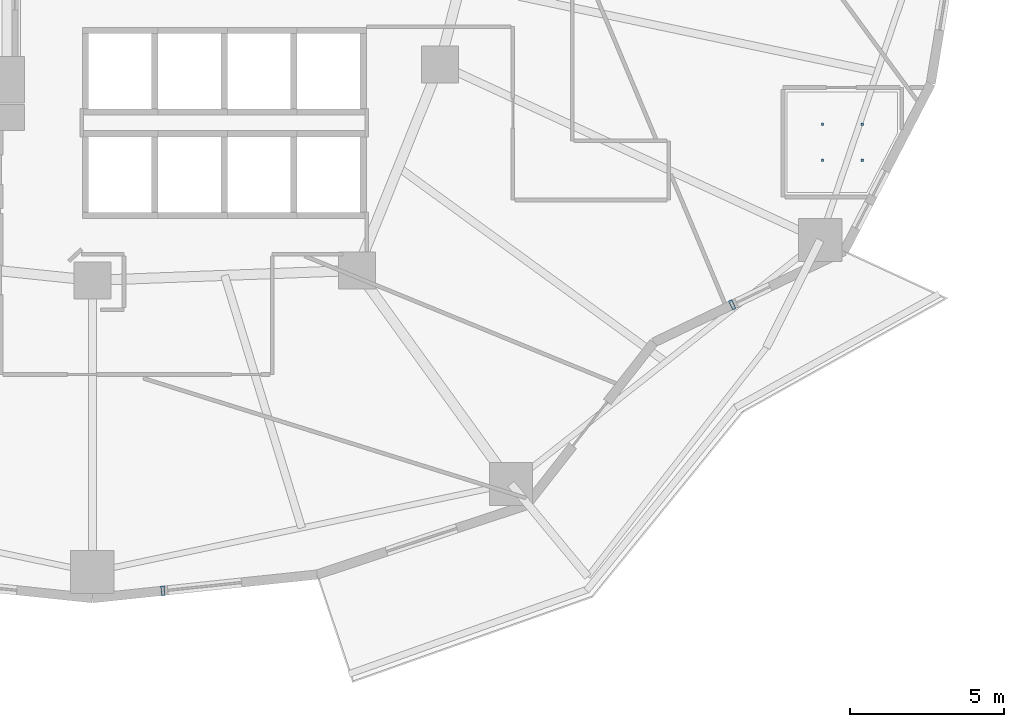
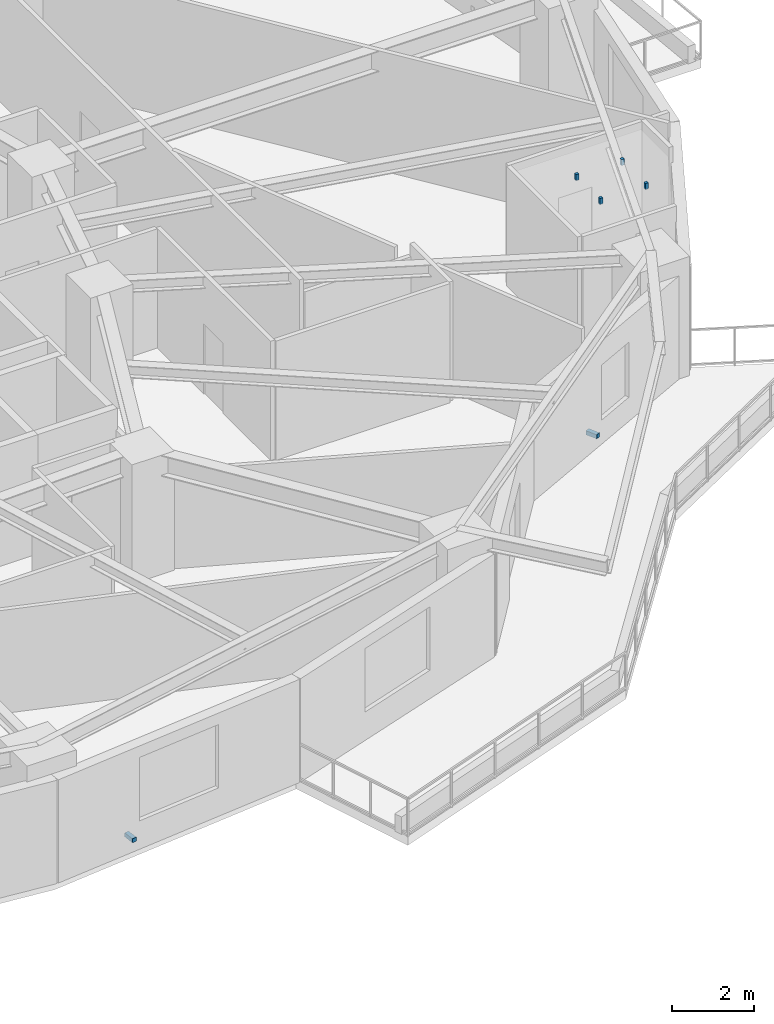
# One storey, part 11 of 18: 6 discrete accessories.
"""IFC4 building model written with IfcOpenShell, lengths in metres."""

import ifcopenshell
import ifcopenshell.guid

model = None  # the IFC model being written
_history = None  # IfcOwnerHistory: only IFC2X3 demands one
_inside = {}  # id of a spatial element -> (the spatial element, [elements in it])
_under = {}  # id of a project, library or spatial element -> (it, [spatial elements below it])
_declared = {}  # id of a project -> (the project, [libraries it declares])
_typed = {}  # id of a type object -> (the type object, [elements of that type])
_made_of = {}  # id of a material, layer set ... -> (it, [elements and type objects made of it])


def new_model(schema):
    """Start an empty IFC model of exactly this schema.

    Asked for "IFC4X3", IfcOpenShell would pick the latest addendum, in which some entities
    have other attributes; the version numbers below select the first issue.
    IFC2X3 requires an IfcOwnerHistory on every rooted entity: one is made here for all.
    """
    global model, _history
    if schema == "IFC4X3":
        model = ifcopenshell.file(schema_version=(4, 3, 0, 0))
    else:
        model = ifcopenshell.file(schema=schema)
    _inside.clear()
    _under.clear()
    _declared.clear()
    _typed.clear()
    _made_of.clear()
    _history = None
    if model.schema == "IFC2X3":
        org = make("IfcOrganization", Name="unknown")
        user = make(
            "IfcPersonAndOrganization",
            ThePerson=make("IfcPerson", FamilyName="unknown"),
            TheOrganization=org,
        )
        app = make(
            "IfcApplication",
            ApplicationDeveloper=org,
            Version="unknown",
            ApplicationFullName="unknown",
            ApplicationIdentifier="unknown",
        )
        _history = make(
            "IfcOwnerHistory",
            OwningUser=user,
            OwningApplication=app,
            ChangeAction="ADDED",
            CreationDate=0,
        )
    return model


def make(cls, **values):
    """One entity of the class cls with the attributes given. An attribute that is None is left unset."""
    return model.create_entity(
        cls, **{name: value for name, value in values.items() if value is not None}
    )


def rooted(cls, **values):
    """An entity with a GlobalId (a new one), such as an element, a storey or a relation."""
    return make(cls, GlobalId=ifcopenshell.guid.new(), OwnerHistory=_history, **values)


def si_unit(unit_type, name, prefix=None):
    """IfcSIUnit, for example si_unit("LENGTHUNIT", "METRE", prefix="MILLI")."""
    return make("IfcSIUnit", UnitType=unit_type, Prefix=prefix, Name=name)


def assignment(units):
    """IfcUnitAssignment: the units of a project."""
    return None if units is None else make("IfcUnitAssignment", Units=units)


def point(xyz):
    """IfcCartesianPoint."""
    return None if xyz is None else make("IfcCartesianPoint", Coordinates=xyz)


def direction(xyz):
    """IfcDirection."""
    return None if xyz is None else make("IfcDirection", DirectionRatios=xyz)


def frame(location, z_axis=None, x_axis=None):
    """IfcAxis2Placement3D, a coordinate frame: its origin and axes. An axis left out is left unset."""
    return make(
        "IfcAxis2Placement3D",
        Location=point(location),
        Axis=direction(z_axis),
        RefDirection=direction(x_axis),
    )


def frame_2d(location, x_axis=None):
    """IfcAxis2Placement2D, a coordinate frame in the plane: its origin and x axis."""
    return make(
        "IfcAxis2Placement2D", Location=point(location), RefDirection=direction(x_axis)
    )


def origin():
    """The frame at (0, 0, 0) with its axes left unset."""
    return frame((0.0, 0.0, 0.0))


def origin_2d():
    """The frame at (0, 0) in the plane with its x axis left unset."""
    return frame_2d((0.0, 0.0))


def place(relative_to, where):
    """IfcLocalPlacement: puts the frame where relative to a parent placement (None: the world)."""
    return make(
        "IfcLocalPlacement", PlacementRelTo=relative_to, RelativePlacement=where
    )


def context(
    kind, dimensions, precision=None, world=None, true_north=None, identifier=None
):
    """IfcGeometricRepresentationContext, for example the 3D "Model" context."""
    return make(
        "IfcGeometricRepresentationContext",
        ContextIdentifier=identifier,
        ContextType=kind,
        CoordinateSpaceDimension=dimensions,
        Precision=precision,
        WorldCoordinateSystem=world,
        TrueNorth=true_north,
    )


def subcontext(parent, identifier, kind, view, scale=None):
    """IfcGeometricRepresentationSubContext, for example "Body" below "Model"."""
    return make(
        "IfcGeometricRepresentationSubContext",
        ContextIdentifier=identifier,
        ContextType=kind,
        ParentContext=parent,
        TargetScale=scale,
        TargetView=view,
    )


def project(units=None, contexts=None):
    """IfcProject with its units and contexts."""
    return rooted(
        "IfcProject",
        Name="project",
        RepresentationContexts=contexts,
        UnitsInContext=assignment(units),
    )


def spatial(cls, under=None, at=None, **own):
    """A site, building, storey or space (cls), placed at a placement, below another one or the project."""
    s = rooted(cls, ObjectPlacement=at, **own)
    if under is not None:
        _under.setdefault(under.id(), (under, []))[1].append(s)
    return s


def profile(cls, at=None, kind="AREA", **sizes):
    """A parametric profile (cls). Its sizes go by their IFC names, for example OverallWidth=200.0."""
    return make(cls, ProfileType=kind, Position=at, **sizes)


def rectangle(**sizes):
    """IfcRectangleProfileDef."""
    return profile("IfcRectangleProfileDef", **sizes)


def extrude(swept, where, along, depth):
    """IfcExtrudedAreaSolid: the profile swept, set in the frame where, extruded along a direction by depth."""
    return make(
        "IfcExtrudedAreaSolid",
        SweptArea=swept,
        Position=where,
        ExtrudedDirection=direction(along),
        Depth=depth,
    )


def shape(context_of_items, identifier, shape_type, items):
    """IfcShapeRepresentation: the items that make up one representation, for example the "Body"."""
    return make(
        "IfcShapeRepresentation",
        ContextOfItems=context_of_items,
        RepresentationIdentifier=identifier,
        RepresentationType=shape_type,
        Items=items,
    )


def material(Name=None, Category=None):
    """IfcMaterial."""
    return make("IfcMaterial", Name=Name, Category=Category)


def made_of(thing, what):
    """Note that an element or type object is made of a material, layer set ...; save() writes the relation."""
    if what is not None:
        _made_of.setdefault(what.id(), (what, []))[1].append(thing)
    return thing


def type_object(cls, material=None, **own):
    """A type object (cls), such as IfcWallType, which elements share."""
    return made_of(rooted(cls, **own), material)


def element(
    cls,
    number,
    at=None,
    inside=None,
    cuts=None,
    type_object=None,
    material=None,
    context=None,
    identifier="Body",
    shape_type=None,
    held_by="IfcProductDefinitionShape",
    body=None,
    shapes=None,
    **own,
):
    """One element of the class cls, such as IfcWall. Its Tag is "e" and its number.

    at: its placement. inside: the storey or other place that contains it. cuts: it is an
    opening in that element (IfcRelVoidsElement). A single representation is given by context,
    identifier, shape_type and body (its items); several are given by shapes. held_by: the class
    of the entity that holds the representations. save() writes the other relations.
    """
    e = rooted(cls, Tag="e%d" % number, ObjectPlacement=at, **own)
    if body is not None:
        shapes = [shape(context, identifier, shape_type, body)]
    if shapes is not None:
        e.Representation = make(held_by, Representations=shapes)
    if inside is not None:
        _inside.setdefault(inside.id(), (inside, []))[1].append(e)
    if cuts is not None:
        rooted(
            "IfcRelVoidsElement", RelatingBuildingElement=cuts, RelatedOpeningElement=e
        )
    if type_object is not None:
        _typed.setdefault(type_object.id(), (type_object, []))[1].append(e)
    return made_of(e, material)


def aggregate(whole, parts):
    """IfcRelAggregates: a whole, such as a stair, and the parts it consists of."""
    return rooted("IfcRelAggregates", RelatingObject=whole, RelatedObjects=parts)


def save(model, path):
    """Write the relations noted so far, then the file.

    IfcRelAggregates (storeys below a building ...), IfcRelContainedInSpatialStructure (elements
    in a storey), IfcRelDefinesByType, IfcRelAssociatesMaterial and IfcRelDeclares: one each for
    every whole, place, type object, material and project.
    """
    for whole, parts in _under.values():
        aggregate(whole, parts)
    for where, things in _inside.values():
        rooted(
            "IfcRelContainedInSpatialStructure",
            RelatedElements=things,
            RelatingStructure=where,
        )
    for kind, things in _typed.values():
        rooted("IfcRelDefinesByType", RelatedObjects=things, RelatingType=kind)
    for what, things in _made_of.values():
        rooted("IfcRelAssociatesMaterial", RelatedObjects=things, RelatingMaterial=what)
    for by, libraries in _declared.values():
        rooted("IfcRelDeclares", RelatingContext=by, RelatedDefinitions=libraries)
    model.write(path)


model = new_model("IFC4")

# Units and contexts
model_context = context("Model", 3, precision=1e-05, world=origin(), true_north=direction((0.0, 1.0)))
body_context = subcontext(model_context, "Body", "Model", "MODEL_VIEW")
ifc_project = project(units=[si_unit("LENGTHUNIT", "METRE"), si_unit("AREAUNIT", "SQUARE_METRE"), si_unit("VOLUMEUNIT", "CUBIC_METRE"), si_unit("PLANEANGLEUNIT", "RADIAN"), si_unit("MASSUNIT", "GRAM", prefix="KILO")], contexts=[model_context])

# Site, building, storey
site_placement = place(None, origin())
site = spatial("IfcSite", under=ifc_project, at=site_placement, CompositionType="ELEMENT")
building_placement = place(site_placement, origin())
building = spatial("IfcBuilding", under=site, at=building_placement, Name="Kolvaren Gate Tower and Convention Centre", CompositionType="ELEMENT")
storey_placement = place(building_placement, frame((0.0, 0.0, 30.35009765625)))
storey = spatial("IfcBuildingStorey", under=building, at=storey_placement, Name="L06", CompositionType="ELEMENT", Elevation=30.35009765625)

# Discrete accessories
ifc_material_1 = material(Name="Anodized Architectural Aluminium Alloy 6063-T6", Category="aluminium")
discrete_accessory_type_1 = type_object("IfcDiscreteAccessoryType", Name="ARCH-ACC-BRACKET-120", PredefinedType="BRACKET", material=ifc_material_1)
for number, where, z_axis, x_axis, name in (
    (1, (32.412353515625, 4.740966796875, 0.289794921875), (0.0, 0.0, 1.0), (0.994498884311, 0.104747167526, 0.0), "Ceramic Fin Wall Anchor Bracket FBK-L06-18"),
    (2, (50.857177734375, 14.00830078125, 0.289794921875), (0.0, 0.0, 1.0), (0.90136443672, 0.433061372343, 0.0), "Ceramic Fin Wall Anchor Bracket FBK-L06-21"),
):
    element("IfcDiscreteAccessory", number, at=place(storey_placement, frame(where, z_axis=z_axis, x_axis=x_axis)), inside=storey, type_object=discrete_accessory_type_1, Name=name, PredefinedType="BRACKET", context=body_context, shape_type="SweptSolid", body=[
        extrude(rectangle(XDim=0.1201171875, YDim=0.320068359375, at=origin_2d()), origin(), (0.0, 0.0, 1.0), 0.1201171875),
    ])
ifc_material_2 = material(Name="Brushed Stainless Steel Grade 316L", Category="steel")
discrete_accessory_type_2 = type_object("IfcDiscreteAccessoryType", Name="ARCH-ACC-HANGER-80", PredefinedType="BRACKET", material=ifc_material_2)
for number, where, z_axis, x_axis, name in (
    (3, (53.781982421875, 18.68603515625, 3.39013671875), (0.0, 0.0, 1.0), (1.0, 0.0, 0.0), "Cellular Office Ceiling Suspension Hanger Clip 1"),
    (4, (55.068115234375, 18.68603515625, 3.39013671875), (0.0, 0.0, 1.0), (1.0, 0.0, 0.0), "Cellular Office Ceiling Suspension Hanger Clip 2"),
    (5, (53.781982421875, 19.864013671875, 3.39013671875), (0.0, 0.0, 1.0), (1.0, 0.0, 0.0), "Cellular Office Ceiling Suspension Hanger Clip 3"),
    (6, (55.068115234375, 19.864013671875, 3.39013671875), (0.0, 0.0, 1.0), (1.0, 0.0, 0.0), "Cellular Office Ceiling Suspension Hanger Clip 4"),
):
    element("IfcDiscreteAccessory", number, at=place(storey_placement, frame(where, z_axis=z_axis, x_axis=x_axis)), inside=storey, type_object=discrete_accessory_type_2, Name=name, PredefinedType="BRACKET", context=body_context, shape_type="SweptSolid", body=[
        extrude(rectangle(XDim=0.080078125, YDim=0.080078125, at=origin_2d()), origin(), (0.0, 0.0, 1.0), 0.179931640625),
    ])

save(model, "model.ifc")
